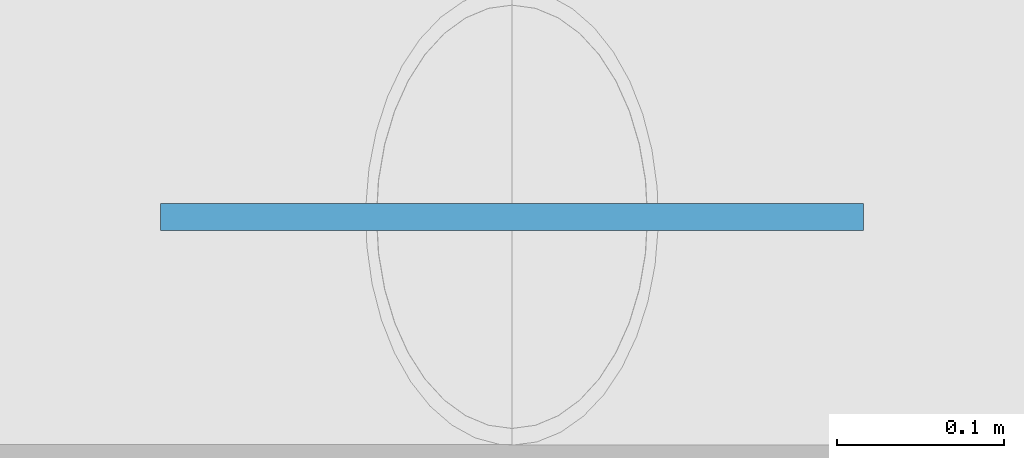
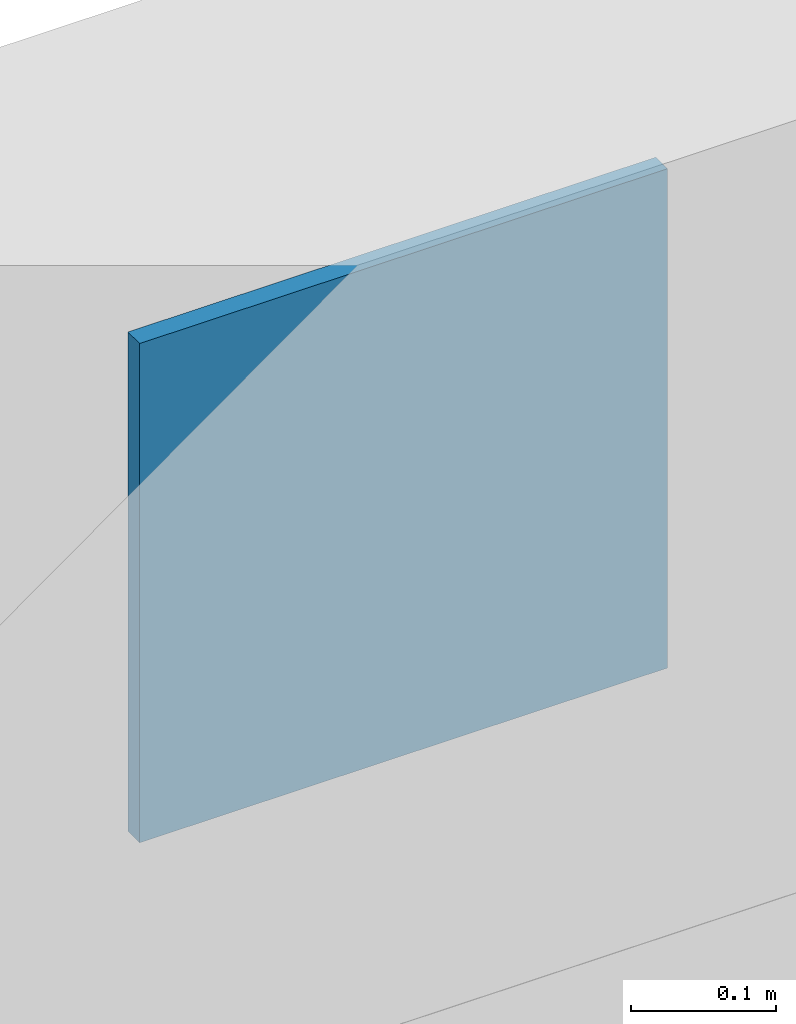
# One storey, part 13 of 27: 1 plate.
"""IFC4 building model written with IfcOpenShell, lengths in metres."""

from ifc_helpers import new_model, si_unit, direction, frame, origin, origin_2d, place, context, subcontext, project, spatial, rectangle, extrude, material, layer, layer_set, type_object, element, save


model = new_model("IFC4")

# Units and contexts
model_context = context("Model", 3, precision=1e-05, world=origin(), true_north=direction((0.0, 1.0)))
body_context = subcontext(model_context, "Body", "Model", "MODEL_VIEW")
ifc_project = project(units=[si_unit("LENGTHUNIT", "METRE"), si_unit("AREAUNIT", "SQUARE_METRE"), si_unit("VOLUMEUNIT", "CUBIC_METRE"), si_unit("PLANEANGLEUNIT", "RADIAN"), si_unit("MASSUNIT", "GRAM", prefix="KILO")], contexts=[model_context])

# Site, building, storey
site_placement = place(None, origin())
site = spatial("IfcSite", under=ifc_project, at=site_placement, CompositionType="ELEMENT")
building_placement = place(site_placement, origin())
building = spatial("IfcBuilding", under=site, at=building_placement, Name="Chengyuan Square Courthouse", CompositionType="ELEMENT")
storey_placement = place(building_placement, frame((0.0, 0.0, 35.10009765625)))
storey = spatial("IfcBuildingStorey", under=building, at=storey_placement, Name="L08", CompositionType="ELEMENT", Elevation=35.10009765625)

# Plate
ifc_material = material(Name="Steel Q355B", Category="steel")
ifc_layer = layer(ifc_material, 0.01611328125)
ifc_layer_set = layer_set([ifc_layer], Name="Steel Q355B")
plate_type = type_object("IfcPlateType", Name="GP-01", PredefinedType="SHEET", material=ifc_layer_set)
plate_placement = place(storey_placement, frame((105.0, 115.199951171875, 3.389892578125), z_axis=(0.0, 0.0, 1.0), x_axis=(1.0, 0.0, 0.0)))
element("IfcPlate", 1, at=plate_placement, inside=storey, type_object=plate_type, Name="Brace Gusset Plate GP-L08-12", PredefinedType="SHEET", context=body_context, shape_type="SweptSolid", body=[
    extrude(rectangle(XDim=0.419921875, YDim=0.01611328125, at=origin_2d()), origin(), (0.0, 0.0, 1.0), 0.419921875),
])

save(model, "model.ifc")
